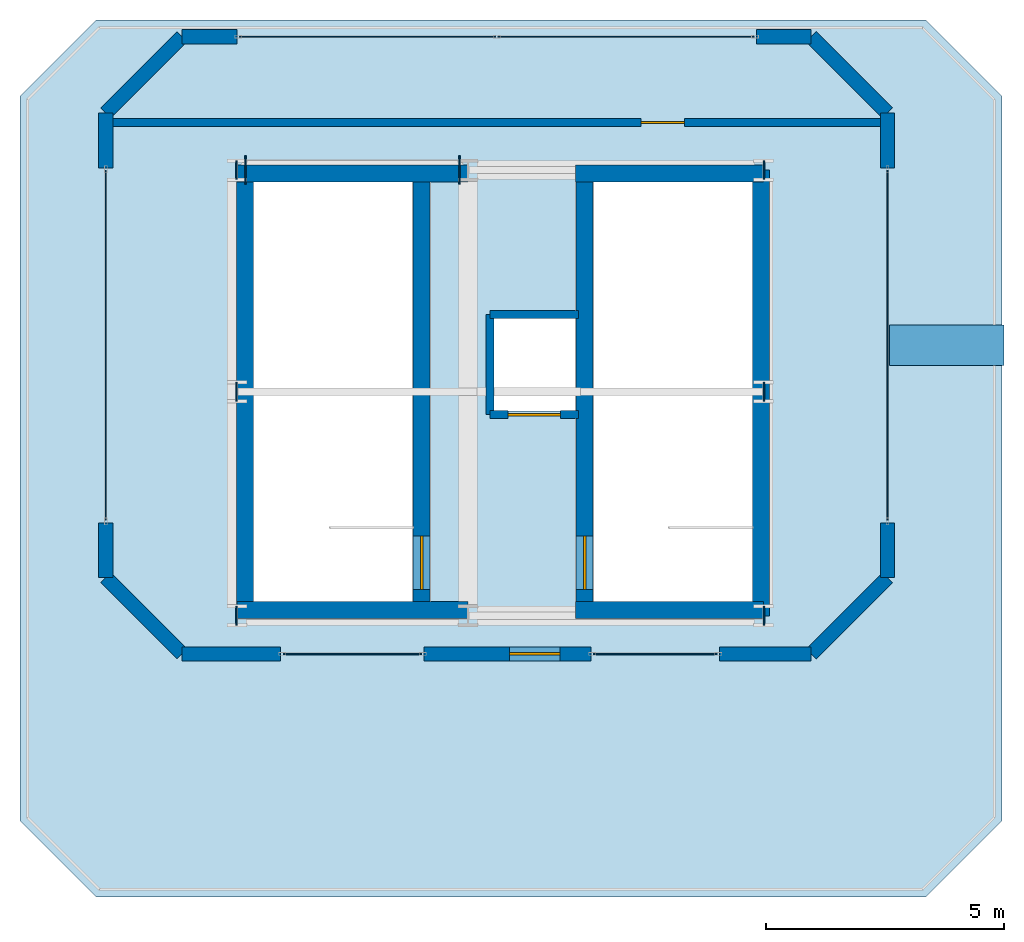
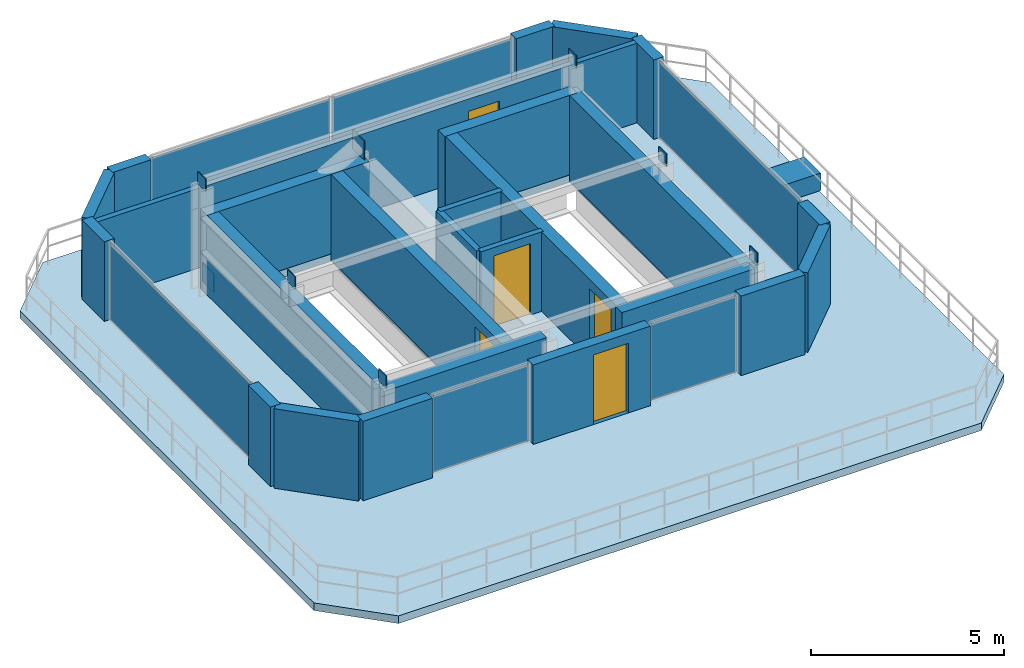
# One storey, part 8 of 9: 25 walls, 14 plates, 5 doors, 1 building element part, 1 slab, 5 openings, 5 elements without a shape of their own.
"""IFC4 building model written with IfcOpenShell, lengths in metres."""

from ifc_helpers import new_model, si_unit, direction, frame, frame_2d, origin, origin_2d, place, context, subcontext, project, spatial, polyline, rectangle, outline, extrude, material, layer, layer_set, type_object, element, fill, aggregate, save


model = new_model("IFC4")

# Units and contexts
model_context = context("Model", 3, precision=1e-05, world=origin(), true_north=direction((0.0, 1.0)))
body_context = subcontext(model_context, "Body", "Model", "MODEL_VIEW")
ifc_project = project(units=[si_unit("LENGTHUNIT", "METRE"), si_unit("AREAUNIT", "SQUARE_METRE"), si_unit("VOLUMEUNIT", "CUBIC_METRE"), si_unit("PLANEANGLEUNIT", "RADIAN"), si_unit("MASSUNIT", "GRAM", prefix="KILO")], contexts=[model_context])

# Site, building, storey
site_placement = place(None, origin())
site = spatial("IfcSite", under=ifc_project, at=site_placement, CompositionType="ELEMENT")
building_placement = place(site_placement, origin())
building = spatial("IfcBuilding", under=site, at=building_placement, Name="Zuhayl Quay Hotel", CompositionType="ELEMENT")
storey_placement = place(building_placement, frame((0.0, 0.0, 316.25)))
storey = spatial("IfcBuildingStorey", under=building, at=storey_placement, Name="Crown 6", CompositionType="ELEMENT", Elevation=316.25)

# Curtain wall, plate
ifc_material_1 = material(Name="Anodised Aluminium 6063-T6", Category="aluminium")
ifc_layer_1 = layer(ifc_material_1, 0.159912109375, Name="Anodised Aluminium 6063-T6", Category="aluminium")
ifc_layer_set_1 = layer_set([ifc_layer_1], Name="Anodised Aluminium 6063-T6")
curtain_wall_type = type_object("IfcCurtainWallType", Name="CW_SYS_CRN", PredefinedType="USERDEFINED", material=ifc_layer_set_1)
curtain_wall_1_placement = place(storey_placement, origin())
curtain_wall_1 = element("IfcCurtainWall", 1, at=curtain_wall_1_placement, inside=storey, type_object=curtain_wall_type, Name="Crown 6 Curtain Wall ENV_CR6_E1_CW1", ObjectType="UNITISED CURTAIN WALL", PredefinedType="USERDEFINED")
ifc_material_2 = material(Name="Spandrel Fritted Solar Glass", Category="glass")
ifc_layer_2 = layer(ifc_material_2, 0.028076171875, Name="Spandrel Fritted Solar Glass", Category="glass")
ifc_layer_set_2 = layer_set([ifc_layer_2], Name="Spandrel Fritted Solar Glass")
plate_type_1 = type_object("IfcPlateType", Name="PN_CROWN_SCREEN", PredefinedType="CURTAIN_PANEL", material=ifc_layer_set_2)
plate_1_placement = place(storey_placement, frame((-12.199951171875, 30.77490234375, 0.054931640625), z_axis=(0.0, 0.0, 1.0), x_axis=(0.0, 1.0, 0.0)))
plate_1 = element("IfcPlate", 2, at=plate_1_placement, type_object=plate_type_1, Name="CW-CRN panel 1.1", PredefinedType="CURTAIN_PANEL", context=body_context, shape_type="SweptSolid", body=[
    extrude(rectangle(XDim=7.330078125, YDim=0.028076171875, at=origin_2d()), origin(), (0.0, 0.0, 1.0), 2.39990234375),
])
aggregate(curtain_wall_1, [plate_1])

# Curtain wall, plates
curtain_wall_2_placement = place(storey_placement, origin())
curtain_wall_2 = element("IfcCurtainWall", 3, at=curtain_wall_2_placement, inside=storey, type_object=curtain_wall_type, Name="Crown 6 Curtain Wall ENV_CR6_E3_CW1", ObjectType="UNITISED CURTAIN WALL", PredefinedType="USERDEFINED")
plate_2_placement = place(storey_placement, frame((-6.7099609375, 37.25, 0.054931640625), z_axis=(0.0, 0.0, 1.0), x_axis=(1.0, 0.0, 0.0)))
plate_2 = element("IfcPlate", 4, at=plate_2_placement, type_object=plate_type_1, Name="CW-CRN panel 1.1", PredefinedType="CURTAIN_PANEL", context=body_context, shape_type="SweptSolid", body=[
    extrude(rectangle(XDim=5.360107421875, YDim=0.028076171875, at=origin_2d()), origin(), (0.0, 0.0, 1.0), 2.39990234375),
])
plate_3_placement = place(storey_placement, frame((-1.2900390625, 37.25, 0.054931640625), z_axis=(0.0, 0.0, 1.0), x_axis=(1.0, 0.0, 0.0)))
plate_3 = element("IfcPlate", 5, at=plate_3_placement, type_object=plate_type_1, Name="CW-CRN panel 2.1", PredefinedType="CURTAIN_PANEL", context=body_context, shape_type="SweptSolid", body=[
    extrude(rectangle(XDim=5.360107421875, YDim=0.028076171875, at=origin_2d()), origin(), (0.0, 0.0, 1.0), 2.39990234375),
])
aggregate(curtain_wall_2, [plate_2, plate_3])

# Curtain wall, plate
curtain_wall_3_placement = place(storey_placement, origin())
curtain_wall_3 = element("IfcCurtainWall", 6, at=curtain_wall_3_placement, inside=storey, type_object=curtain_wall_type, Name="Crown 6 Curtain Wall ENV_CR6_E5_CW1", ObjectType="UNITISED CURTAIN WALL", PredefinedType="USERDEFINED")
plate_4_placement = place(storey_placement, frame((4.199951171875, 30.77490234375, 0.054931640625), z_axis=(0.0, 0.0, 1.0), x_axis=(0.0, -1.0, 0.0)))
plate_4 = element("IfcPlate", 7, at=plate_4_placement, type_object=plate_type_1, Name="CW-CRN panel 1.1", PredefinedType="CURTAIN_PANEL", context=body_context, shape_type="SweptSolid", body=[
    extrude(rectangle(XDim=7.330078125, YDim=0.028076171875, at=origin_2d()), origin(), (0.0, 0.0, 1.0), 2.39990234375),
])
aggregate(curtain_wall_3, [plate_4])

curtain_wall_4_placement = place(storey_placement, origin())
curtain_wall_4 = element("IfcCurtainWall", 8, at=curtain_wall_4_placement, inside=storey, type_object=curtain_wall_type, Name="Crown 6 Curtain Wall ENV_CR6_E7_CW1", ObjectType="UNITISED CURTAIN WALL", PredefinedType="USERDEFINED")
plate_5_placement = place(storey_placement, frame((-0.672607421875, 24.300048828125, 0.054931640625), z_axis=(0.0, 0.0, 1.0), x_axis=(-1.0, 0.0, 0.0)))
plate_5 = element("IfcPlate", 9, at=plate_5_placement, type_object=plate_type_1, Name="CW-CRN panel 1.1", PredefinedType="CURTAIN_PANEL", context=body_context, shape_type="SweptSolid", body=[
    extrude(rectangle(XDim=2.5849609375, YDim=0.028076171875, at=origin_2d()), origin(), (0.0, 0.0, 1.0), 2.39990234375),
])
aggregate(curtain_wall_4, [plate_5])

curtain_wall_5_placement = place(storey_placement, origin())
curtain_wall_5 = element("IfcCurtainWall", 10, at=curtain_wall_5_placement, inside=storey, type_object=curtain_wall_type, Name="Crown 6 Curtain Wall ENV_CR6_E7_CW2", ObjectType="UNITISED CURTAIN WALL", PredefinedType="USERDEFINED")
plate_6_placement = place(storey_placement, frame((-7.02490234375, 24.300048828125, 0.054931640625), z_axis=(0.0, 0.0, 1.0), x_axis=(-1.0, 0.0, 0.0)))
plate_6 = element("IfcPlate", 11, at=plate_6_placement, type_object=plate_type_1, Name="CW-CRN panel 1.1", PredefinedType="CURTAIN_PANEL", context=body_context, shape_type="SweptSolid", body=[
    extrude(rectangle(XDim=2.889892578125, YDim=0.028076171875, at=origin_2d()), origin(), (0.0, 0.0, 1.0), 2.39990234375),
])
aggregate(curtain_wall_5, [plate_6])

# Slab
ifc_material_3 = material(Name="Concrete C45/55", Category="concrete")
ifc_layer_3 = layer(ifc_material_3, 0.239990234375, Name="Concrete C45/55", Category="concrete")
ifc_layer_set_3 = layer_set([ifc_layer_3], Name="Concrete C45/55")
slab_type = type_object("IfcSlabType", Name="SL_CROWN_ROOF_240", PredefinedType="ROOF", material=ifc_layer_set_3)
slab_placement = place(storey_placement, frame((0.0, 0.0, -0.239990234375)))
element("IfcSlab", 12, at=slab_placement, inside=storey, type_object=slab_type, Name="Crown 6 Stepped Crown Terrace and Roof Slab", PredefinedType="ROOF", context=body_context, shape_type="SweptSolid", body=[
    extrude(outline(polyline([(-12.39990234375, 19.199951171875), (5.0, 19.199951171875), (6.60009765625, 20.800048828125), (6.60009765625, 36.0), (5.0, 37.60009765625), (-12.39990234375, 37.60009765625), (-14.0, 36.0), (-14.0, 20.800048828125), (-12.39990234375, 19.199951171875)]), holes=[polyline([(-5.75, 25.39990234375), (-5.75, 34.199951171875), (-9.10009765625, 34.199951171875), (-9.10009765625, 25.39990234375), (-5.75, 25.39990234375)]), polyline([(1.3701171875, 25.39990234375), (1.3701171875, 34.199951171875), (-1.97998046875, 34.199951171875), (-1.97998046875, 25.39990234375), (1.3701171875, 25.39990234375)]), polyline([(-4.080078125, 29.39990234375), (-2.340087890625, 29.39990234375), (-2.340087890625, 31.35009765625), (-4.080078125, 31.35009765625), (-4.080078125, 29.39990234375)])]), origin(), (0.0, 0.0, 1.0), 0.239990234375),
])

# Plates
ifc_material_4 = material(Name="Steel ASTM A572 Grade 50", Category="steel")
ifc_layer_4 = layer(ifc_material_4, 0.030029296875, Name="Steel ASTM A572 Grade 50", Category="steel")
ifc_layer_set_4 = layer_set([ifc_layer_4], Name="Steel ASTM A572 Grade 50")
plate_type_2 = type_object("IfcPlateType", Name="TP_CAP_PLATE_30", PredefinedType="USERDEFINED", material=ifc_layer_set_4)
for number, where, z_axis, x_axis, name in (
    (13, (-9.2705078125, 34.449951171875, 0.04541015625), (0.0, 0.0, 1.0), (-1.0, 0.0, 0.0), "Truss Node Cap Assembly KN2"),
    (14, (-4.779541015625, 34.449951171875, 2.65771484375), (0.0, 0.0, 1.0), (1.0, 0.0, 0.0), "Truss Node Cap Assembly KN2"),
):
    element("IfcPlate", number, at=place(storey_placement, frame(where, z_axis=z_axis, x_axis=x_axis)), inside=storey, type_object=plate_type_2, Name=name, ObjectType="GUSSET PLATE", PredefinedType="USERDEFINED", context=body_context, shape_type="SweptSolid", body=[
        extrude(rectangle(XDim=0.030029296875, YDim=0.596923828125, at=origin_2d()), origin(), (0.0, 0.0, 1.0), 0.596923828125),
    ])
for number, where, z_axis, x_axis, name in (
    (15, (-9.4619140625, 25.10009765625, 2.69482421875), (0.0, 0.0, 1.0), (-1.0, 0.0, 0.0), "Truss Node Cap Assembly KN2"),
    (16, (1.612060546875, 25.10009765625, 2.69482421875), (0.0, 0.0, 1.0), (1.0, 0.0, 0.0), "Truss Node Cap Assembly KN2"),
    (17, (-9.4619140625, 29.800048828125, 2.9716796875), (0.0, 0.0, 1.0), (-1.0, 0.0, 0.0), "Truss Node Cap Assembly KN2"),
    (18, (1.612060546875, 29.800048828125, 2.9716796875), (0.0, 0.0, 1.0), (1.0, 0.0, 0.0), "Truss Node Cap Assembly KN2"),
    (19, (-9.4619140625, 34.449951171875, 3.2451171875), (0.0, 0.0, 1.0), (-1.0, 0.0, 0.0), "Truss Node Cap Assembly KN2"),
    (20, (1.612060546875, 34.449951171875, 3.2451171875), (0.0, 0.0, 1.0), (1.0, 0.0, 0.0), "Truss Node Cap Assembly KN2"),
):
    element("IfcPlate", number, at=place(storey_placement, frame(where, z_axis=z_axis, x_axis=x_axis)), inside=storey, type_object=plate_type_2, Name=name, ObjectType="GUSSET PLATE", PredefinedType="USERDEFINED", context=body_context, shape_type="SweptSolid", body=[
        extrude(rectangle(XDim=0.030029296875, YDim=0.389892578125, at=origin_2d()), origin(), (0.0, 0.0, 1.0), 0.389892578125),
    ])

# Walls
ifc_material_5 = material(Name="Precast concrete C45/55", Category="concrete")
ifc_layer_5 = layer(ifc_material_5, 0.300048828125, Name="Precast concrete C45/55", Category="concrete")
ifc_layer_set_5 = layer_set([ifc_layer_5], Name="Precast concrete C45/55")
wall_type_1 = type_object("IfcWallType", Name="WL_EXT_300", PredefinedType="STANDARD", material=ifc_layer_set_5)
wall_1_placement = place(storey_placement, frame((-12.199951171875, 25.89990234375, 0.0), z_axis=(0.0, 0.0, 1.0), x_axis=(0.0, 1.0, 0.0)))
element("IfcWall", 21, at=wall_1_placement, inside=storey, type_object=wall_type_1, Name="Crown 6 Exterior Precast Wall ENV_CR6_E1_EW1", PredefinedType="STANDARD", context=body_context, shape_type="SweptSolid", body=[
    extrude(rectangle(XDim=1.150146484375, YDim=0.300048828125, at=frame_2d((0.5751953125, 0.0))), origin(), (0.0, 0.0, 1.0), 2.510009765625),
])
wall_2_placement = place(storey_placement, frame((-12.199951171875, 34.5, 0.0), z_axis=(0.0, 0.0, 1.0), x_axis=(0.0, 1.0, 0.0)))
element("IfcWall", 22, at=wall_2_placement, inside=storey, type_object=wall_type_1, Name="Crown 6 Exterior Precast Wall ENV_CR6_E1_EW2", PredefinedType="STANDARD", context=body_context, shape_type="SweptSolid", body=[
    extrude(rectangle(XDim=1.14990234375, YDim=0.300048828125, at=frame_2d((0.574951171875, 0.0))), origin(), (0.0, 0.0, 1.0), 2.510009765625),
])
wall_3_placement = place(storey_placement, frame((-12.199951171875, 35.64990234375, 0.0), z_axis=(0.0, 0.0, 1.0), x_axis=(0.707052830339, 0.707160727918, 0.0)))
element("IfcWall", 23, at=wall_3_placement, inside=storey, type_object=wall_type_1, Name="Crown 6 Exterior Precast Wall ENV_CR6_EW2", PredefinedType="STANDARD", context=body_context, shape_type="SweptSolid", body=[
    extrude(rectangle(XDim=2.2626953125, YDim=0.300048828125, at=frame_2d((1.13134765625, 0.0))), origin(), (0.0, 0.0, 1.0), 2.510009765625),
])
for number, where, z_axis, x_axis, name in (
    (24, (-10.60009765625, 37.25, 0.0), (0.0, 0.0, 1.0), (1.0, 0.0, 0.0), "Crown 6 Exterior Precast Wall ENV_CR6_E3_EW1"),
    (25, (1.449951171875, 37.25, 0.0), (0.0, 0.0, 1.0), (1.0, 0.0, 0.0), "Crown 6 Exterior Precast Wall ENV_CR6_E3_EW2"),
):
    element("IfcWall", number, at=place(storey_placement, frame(where, z_axis=z_axis, x_axis=x_axis)), inside=storey, type_object=wall_type_1, Name=name, PredefinedType="STANDARD", context=body_context, shape_type="SweptSolid", body=[
        extrude(rectangle(XDim=1.150146484375, YDim=0.300048828125, at=frame_2d((0.5751953125, 0.0))), origin(), (0.0, 0.0, 1.0), 2.510009765625),
    ])
wall_4_placement = place(storey_placement, frame((2.60009765625, 37.25, 0.0), z_axis=(0.0, 0.0, 1.0), x_axis=(0.707052830339, -0.707160727918, 0.0)))
element("IfcWall", 26, at=wall_4_placement, inside=storey, type_object=wall_type_1, Name="Crown 6 Exterior Precast Wall ENV_CR6_EW4", PredefinedType="STANDARD", context=body_context, shape_type="SweptSolid", body=[
    extrude(rectangle(XDim=2.2626953125, YDim=0.300048828125, at=frame_2d((1.13134765625, 0.0))), origin(), (0.0, 0.0, 1.0), 2.510009765625),
])
wall_5_placement = place(storey_placement, frame((4.199951171875, 35.64990234375, 0.0), z_axis=(0.0, 0.0, 1.0), x_axis=(0.0, -1.0, 0.0)))
element("IfcWall", 27, at=wall_5_placement, inside=storey, type_object=wall_type_1, Name="Crown 6 Exterior Precast Wall ENV_CR6_E5_EW1", PredefinedType="STANDARD", context=body_context, shape_type="SweptSolid", body=[
    extrude(rectangle(XDim=1.14990234375, YDim=0.300048828125, at=frame_2d((0.574951171875, 0.0))), origin(), (0.0, 0.0, 1.0), 2.510009765625),
])
wall_6_placement = place(storey_placement, frame((4.199951171875, 27.050048828125, 0.0), z_axis=(0.0, 0.0, 1.0), x_axis=(0.0, -1.0, 0.0)))
element("IfcWall", 28, at=wall_6_placement, inside=storey, type_object=wall_type_1, Name="Crown 6 Exterior Precast Wall ENV_CR6_E5_EW2", PredefinedType="STANDARD", context=body_context, shape_type="SweptSolid", body=[
    extrude(rectangle(XDim=1.150146484375, YDim=0.300048828125, at=frame_2d((0.5751953125, 0.0))), origin(), (0.0, 0.0, 1.0), 2.510009765625),
])
wall_7_placement = place(storey_placement, frame((4.199951171875, 25.89990234375, 0.0), z_axis=(0.0, 0.0, 1.0), x_axis=(-0.707106781187, -0.707106781187, 0.0)))
element("IfcWall", 29, at=wall_7_placement, inside=storey, type_object=wall_type_1, Name="Crown 6 Exterior Precast Wall ENV_CR6_EW6", PredefinedType="STANDARD", context=body_context, shape_type="SweptSolid", body=[
    extrude(rectangle(XDim=2.262451171875, YDim=0.300048828125, at=frame_2d((1.13134765625, 0.0))), origin(), (0.0, 0.0, 1.0), 2.510009765625),
])
wall_8_placement = place(storey_placement, frame((2.60009765625, 24.300048828125, 0.0), z_axis=(0.0, 0.0, 1.0), x_axis=(-1.0, 0.0, 0.0)))
element("IfcWall", 30, at=wall_8_placement, inside=storey, type_object=wall_type_1, Name="Crown 6 Exterior Precast Wall ENV_CR6_E7_EW1", PredefinedType="STANDARD", context=body_context, shape_type="SweptSolid", body=[
    extrude(rectangle(XDim=1.920166015625, YDim=0.300048828125, at=frame_2d((0.9599609375, 0.0))), origin(), (0.0, 0.0, 1.0), 2.510009765625),
])

# Wall, opening, door
wall_9_placement = place(storey_placement, frame((-2.02490234375, 24.300048828125, 0.0), z_axis=(0.0, 0.0, 1.0), x_axis=(-1.0, 0.0, 0.0)))
wall_9 = element("IfcWall", 31, at=wall_9_placement, inside=storey, type_object=wall_type_1, Name="Crown 6 Exterior Precast Wall ENV_CR6_E7_EW2", PredefinedType="STANDARD", context=body_context, shape_type="SweptSolid", body=[
    extrude(rectangle(XDim=3.4951171875, YDim=0.300048828125, at=frame_2d((1.74755859375, 0.0))), origin(), (0.0, 0.0, 1.0), 2.510009765625),
])
opening_1_placement = place(wall_9_placement, frame((0.64990234375, 0.0, 0.0)))
opening_1 = element("IfcOpeningElement", 32, at=opening_1_placement, cuts=wall_9, Name="Opening DG1", PredefinedType="OPENING", context=body_context, shape_type="SweptSolid", body=[
    extrude(rectangle(XDim=1.050048828125, YDim=2.199951171875, at=frame_2d((0.52490234375, 1.10009765625))), frame((0.0, 0.159912109375, 0.0), z_axis=(0.0, -1.0, 0.0), x_axis=(1.0, 0.0, 0.0)), (0.0, 0.0, 1.0), 0.320068359375),
])
ifc_material_6 = material(Name="Anodised Aluminium and Dark Solar Glass", Category="aluminium")
door_type_1 = type_object("IfcDoorType", Name="DR_EXT_TERR_1050", OperationType="NOTDEFINED", PredefinedType="DOOR", material=ifc_material_6)
door_1_placement = place(opening_1_placement, origin())
door_1 = element("IfcDoor", 33, at=door_1_placement, inside=storey, type_object=door_type_1, Name="Crown 6 Stepped Crown Terrace Access Door", OperationType="SINGLE_SWING_RIGHT", OverallHeight=2.199951171875, OverallWidth=1.050048828125, PredefinedType="DOOR", context=body_context, shape_type="SweptSolid", body=[
    extrude(rectangle(XDim=1.050048828125, YDim=2.199951171875, at=frame_2d((0.52490234375, 1.10009765625))), frame((0.0, 0.02490234375, 0.0), z_axis=(0.0, -1.0, 0.0), x_axis=(1.0, 0.0, 0.0)), (0.0, 0.0, 1.0), 0.050048828125),
])
fill(opening_1, door_1)

# Walls
wall_10_placement = place(storey_placement, frame((-8.530029296875, 24.300048828125, 0.0), z_axis=(0.0, 0.0, 1.0), x_axis=(-1.0, 0.0, 0.0)))
element("IfcWall", 34, at=wall_10_placement, inside=storey, type_object=wall_type_1, Name="Crown 6 Exterior Precast Wall ENV_CR6_E7_EW3", PredefinedType="STANDARD", context=body_context, shape_type="SweptSolid", body=[
    extrude(rectangle(XDim=2.070068359375, YDim=0.300048828125, at=frame_2d((1.03515625, 0.0))), origin(), (0.0, 0.0, 1.0), 2.510009765625),
])
wall_11_placement = place(storey_placement, frame((-10.60009765625, 24.300048828125, 0.0), z_axis=(0.0, 0.0, 1.0), x_axis=(-0.707106781187, 0.707106781187, 0.0)))
element("IfcWall", 35, at=wall_11_placement, inside=storey, type_object=wall_type_1, Name="Crown 6 Exterior Precast Wall ENV_CR6_EW8", PredefinedType="STANDARD", context=body_context, shape_type="SweptSolid", body=[
    extrude(rectangle(XDim=2.262451171875, YDim=0.300048828125, at=frame_2d((1.13134765625, 0.0))), origin(), (0.0, 0.0, 1.0), 2.510009765625),
])

# Wall, opening, door
ifc_material_7 = material(Name="Acoustic Gypsum Partition STC-58")
ifc_layer_6 = layer(ifc_material_7, 0.159912109375, Name="Acoustic Gypsum Partition STC-58")
ifc_layer_set_6 = layer_set([ifc_layer_6], Name="Acoustic Gypsum Partition STC-58")
wall_type_2 = type_object("IfcWallType", Name="WL_PART_CORR_160", PredefinedType="PARTITIONING", material=ifc_layer_set_6)
wall_12_placement = place(storey_placement, frame((-12.139892578125, 35.449951171875, 0.0), z_axis=(0.0, 0.0, 1.0), x_axis=(1.0, 0.0, 0.0)))
wall_12 = element("IfcWall", 36, at=wall_12_placement, inside=storey, type_object=wall_type_2, Name="Crown 6 Partition IW_CR6_DIV", PredefinedType="PARTITIONING", context=body_context, shape_type="SweptSolid", body=[
    extrude(rectangle(XDim=16.27978515625, YDim=0.159912109375, at=frame_2d((8.139892578125, 0.0))), origin(), (0.0, 0.0, 1.0), 2.510009765625),
])
opening_2_placement = place(wall_12_placement, frame((11.1650390625, 0.0, 0.0)))
opening_2 = element("IfcOpeningElement", 37, at=opening_2_placement, cuts=wall_12, Name="Opening D05", PredefinedType="OPENING", context=body_context, shape_type="SweptSolid", body=[
    extrude(rectangle(XDim=0.919921875, YDim=2.1201171875, at=frame_2d((0.4599609375, 1.06005859375))), frame((0.0, 0.08984375, 0.0), z_axis=(0.0, -1.0, 0.0), x_axis=(1.0, 0.0, 0.0)), (0.0, 0.0, 1.0), 0.179931640625),
])
ifc_material_8 = material(Name="Solid Walnut Acoustic Fire Door")
door_type_2 = type_object("IfcDoorType", Name="DR_INT_950", OperationType="NOTDEFINED", PredefinedType="DOOR", material=ifc_material_8)
door_2_placement = place(opening_2_placement, origin())
door_2 = element("IfcDoor", 38, at=door_2_placement, inside=storey, type_object=door_type_2, Name="Crown 6 Equipment Room Door", OperationType="SINGLE_SWING_RIGHT", OverallHeight=2.1201171875, OverallWidth=0.919921875, PredefinedType="DOOR", context=body_context, shape_type="SweptSolid", body=[
    extrude(rectangle(XDim=0.919921875, YDim=2.1201171875, at=frame_2d((0.4599609375, 1.06005859375))), frame((0.0, 0.02490234375, 0.0), z_axis=(0.0, -1.0, 0.0), x_axis=(1.0, 0.0, 0.0)), (0.0, 0.0, 1.0), 0.050048828125),
])
fill(opening_2, door_2)

ifc_material_9 = material(Name="Gypsum Fireboard Assembly EI-90")
ifc_layer_7 = layer(ifc_material_9, 0.1650390625, Name="Gypsum Fireboard Assembly EI-90")
ifc_layer_set_7 = layer_set([ifc_layer_7], Name="Gypsum Fireboard Assembly EI-90")
wall_type_3 = type_object("IfcWallType", Name="WL_PART_SHAFT_160", PredefinedType="PARTITIONING", material=ifc_layer_set_7)
wall_13_placement = place(storey_placement, frame((-4.139892578125, 29.320068359375, 0.0), z_axis=(0.0, 0.0, 1.0), x_axis=(1.0, 0.0, 0.0)))
wall_13 = element("IfcWall", 39, at=wall_13_placement, inside=storey, type_object=wall_type_3, Name="Crown 6 Partition IW_CR6_SH_CLF1_F", PredefinedType="PARTITIONING", context=body_context, shape_type="SweptSolid", body=[
    extrude(rectangle(XDim=1.85986328125, YDim=0.1650390625, at=frame_2d((0.929931640625, 0.0))), origin(), (0.0, 0.0, 1.0), 2.510009765625),
])
opening_3_placement = place(wall_13_placement, frame((0.3798828125, 0.0, 0.0)))
opening_3 = element("IfcOpeningElement", 40, at=opening_3_placement, cuts=wall_13, Name="Opening LD1", PredefinedType="OPENING", context=body_context, shape_type="SweptSolid", body=[
    extrude(rectangle(XDim=1.10009765625, YDim=2.25, at=frame_2d((0.550048828125, 1.125))), frame((0.0, 0.092529296875, 0.0), z_axis=(0.0, -1.0, 0.0), x_axis=(1.0, 0.0, 0.0)), (0.0, 0.0, 1.0), 0.18505859375),
])
ifc_material_10 = material(Name="Brushed Stainless Steel", Category="steel")
door_type_3 = type_object("IfcDoorType", Name="DR_LIFT_PASS_1100", OperationType="SLIDING_TO_LEFT", PredefinedType="DOOR", material=ifc_material_10)
door_3_placement = place(opening_3_placement, origin())
door_3 = element("IfcDoor", 41, at=door_3_placement, inside=storey, type_object=door_type_3, Name="Crown 6 Lift CLF1 Sliding Landing Door", OperationType="SLIDING_TO_LEFT", OverallHeight=2.25, OverallWidth=1.10009765625, PredefinedType="DOOR", context=body_context, shape_type="SweptSolid", body=[
    extrude(rectangle(XDim=1.10009765625, YDim=2.25, at=frame_2d((0.550048828125, 1.125))), frame((0.0, 0.02490234375, 0.0), z_axis=(0.0, -1.0, 0.0), x_axis=(1.0, 0.0, 0.0)), (0.0, 0.0, 1.0), 0.050048828125),
])
fill(opening_3, door_3)

# Walls
wall_14_placement = place(storey_placement, frame((-4.139892578125, 29.320068359375, 0.0), z_axis=(0.0, 0.0, 1.0), x_axis=(0.0, 1.0, 0.0)))
element("IfcWall", 42, at=wall_14_placement, inside=storey, type_object=wall_type_3, Name="Crown 6 Partition IW_CR6_SH_CLF1_W", PredefinedType="PARTITIONING", context=body_context, shape_type="SweptSolid", body=[
    extrude(rectangle(XDim=2.099853515625, YDim=0.1650390625, at=frame_2d((1.0498046875, 0.0))), origin(), (0.0, 0.0, 1.0), 2.510009765625),
])
wall_15_placement = place(storey_placement, frame((-4.139892578125, 31.419921875, 0.0), z_axis=(0.0, 0.0, 1.0), x_axis=(1.0, 0.0, 0.0)))
element("IfcWall", 43, at=wall_15_placement, inside=storey, type_object=wall_type_3, Name="Crown 6 Partition IW_CR6_SH_CLF1_N", PredefinedType="PARTITIONING", context=body_context, shape_type="SweptSolid", body=[
    extrude(rectangle(XDim=1.85986328125, YDim=0.1650390625, at=frame_2d((0.929931640625, 0.0))), origin(), (0.0, 0.0, 1.0), 2.510009765625),
])

# Wall, opening, door
ifc_material_11 = material(Name="Concrete C50/60", Category="concrete")
ifc_layer_8 = layer(ifc_material_11, 0.35009765625, Name="Concrete C50/60", Category="concrete")
ifc_layer_set_8 = layer_set([ifc_layer_8], Name="Concrete C50/60")
wall_type_4 = type_object("IfcWallType", Name="WL_STAIR_350", PredefinedType="SHEAR", material=ifc_layer_set_8)
wall_16_placement = place(storey_placement, frame((-5.574951171875, 25.10009765625, -0.18994140625), z_axis=(0.0, 0.0, 1.0), x_axis=(0.0, 1.0, 0.0)))
wall_16 = element("IfcWall", 44, at=wall_16_placement, inside=storey, type_object=wall_type_4, Name="Crown 6 Crown Stair Shear Wall SW_ST5_E", PredefinedType="SHEAR", context=body_context, shape_type="SweptSolid", body=[
    extrude(rectangle(XDim=9.349853515625, YDim=0.35009765625, at=frame_2d((4.6748046875, 0.0))), origin(), (0.0, 0.0, 1.0), 2.699951171875),
])
opening_4_placement = place(wall_16_placement, frame((0.550048828125, 0.0, 0.18994140625)))
opening_4 = element("IfcOpeningElement", 45, at=opening_4_placement, cuts=wall_16, Name="Opening D01", PredefinedType="OPENING", context=body_context, shape_type="SweptSolid", body=[
    extrude(rectangle(XDim=1.1201171875, YDim=2.219970703125, at=frame_2d((0.56005859375, 1.10986328125))), frame((0.0, 0.18505859375, 0.0), z_axis=(0.0, -1.0, 0.0), x_axis=(1.0, 0.0, 0.0)), (0.0, 0.0, 1.0), 0.3701171875),
])
ifc_material_12 = material(Name="Steel ASTM A992 Grade 50", Category="steel")
door_type_4 = type_object("IfcDoorType", Name="DR_STAIR_90_1100", OperationType="NOTDEFINED", PredefinedType="DOOR", material=ifc_material_12)
door_4_placement = place(opening_4_placement, origin())
door_4 = element("IfcDoor", 46, at=door_4_placement, inside=storey, type_object=door_type_4, Name="Crown 6 Crown Exit Stair ST5 Door", OperationType="SINGLE_SWING_RIGHT", OverallHeight=2.219970703125, OverallWidth=1.1201171875, PredefinedType="DOOR", context=body_context, shape_type="SweptSolid", body=[
    extrude(rectangle(XDim=1.1201171875, YDim=2.219970703125, at=frame_2d((0.56005859375, 1.10986328125))), frame((0.0, 0.02490234375, 0.0), z_axis=(0.0, -1.0, 0.0), x_axis=(1.0, 0.0, 0.0)), (0.0, 0.0, 1.0), 0.050048828125),
])
fill(opening_4, door_4)

# Walls
wall_17_placement = place(storey_placement, frame((-9.280029296875, 34.449951171875, -0.18994140625), z_axis=(0.0, 0.0, 1.0), x_axis=(0.0, -1.0, 0.0)))
element("IfcWall", 47, at=wall_17_placement, inside=storey, type_object=wall_type_4, Name="Crown 6 Crown Stair Shear Wall SW_ST5_W", PredefinedType="SHEAR", context=body_context, shape_type="SweptSolid", body=[
    extrude(rectangle(XDim=9.349853515625, YDim=0.35009765625, at=frame_2d((4.6748046875, 0.0))), origin(), (0.0, 0.0, 1.0), 2.699951171875),
])
for number, where, z_axis, x_axis, name in (
    (48, (-9.449951171875, 25.219970703125, -0.18994140625), (0.0, 0.0, 1.0), (1.0, 0.0, 0.0), "Crown 6 Crown Stair Shear Wall SW_ST5_S"),
    (49, (-9.449951171875, 34.3798828125, -0.18994140625), (0.0, 0.0, 1.0), (1.0, 0.0, 0.0), "Crown 6 Crown Stair Shear Wall SW_ST5_N"),
):
    element("IfcWall", number, at=place(storey_placement, frame(where, z_axis=z_axis, x_axis=x_axis)), inside=storey, type_object=wall_type_4, Name=name, PredefinedType="SHEAR", context=body_context, shape_type="SweptSolid", body=[
        extrude(rectangle(XDim=4.849853515625, YDim=0.35009765625, at=frame_2d((2.4248046875, 0.0))), origin(), (0.0, 0.0, 1.0), 2.699951171875),
    ])

# Wall, opening, door
wall_18_placement = place(storey_placement, frame((-2.155029296875, 34.449951171875, -0.18994140625), z_axis=(0.0, 0.0, 1.0), x_axis=(0.0, -1.0, 0.0)))
wall_18 = element("IfcWall", 50, at=wall_18_placement, inside=storey, type_object=wall_type_4, Name="Crown 6 Crown Stair Shear Wall SW_ST6_W", PredefinedType="SHEAR", context=body_context, shape_type="SweptSolid", body=[
    extrude(rectangle(XDim=9.349853515625, YDim=0.35009765625, at=frame_2d((4.6748046875, 0.0))), origin(), (0.0, 0.0, 1.0), 2.699951171875),
])
opening_5_placement = place(wall_18_placement, frame((7.679931640625, 0.0, 0.18994140625)))
opening_5 = element("IfcOpeningElement", 51, at=opening_5_placement, cuts=wall_18, Name="Opening D01", PredefinedType="OPENING", context=body_context, shape_type="SweptSolid", body=[
    extrude(rectangle(XDim=1.1201171875, YDim=2.219970703125, at=frame_2d((0.56005859375, 1.10986328125))), frame((0.0, 0.18505859375, 0.0), z_axis=(0.0, -1.0, 0.0), x_axis=(1.0, 0.0, 0.0)), (0.0, 0.0, 1.0), 0.3701171875),
])
door_5_placement = place(opening_5_placement, origin())
door_5 = element("IfcDoor", 52, at=door_5_placement, inside=storey, type_object=door_type_4, Name="Crown 6 Crown Exit Stair ST6 Door", OperationType="SINGLE_SWING_LEFT", OverallHeight=2.219970703125, OverallWidth=1.1201171875, PredefinedType="DOOR", context=body_context, shape_type="SweptSolid", body=[
    extrude(rectangle(XDim=1.1201171875, YDim=2.219970703125, at=frame_2d((0.56005859375, 1.10986328125))), frame((0.0, 0.02490234375, 0.0), z_axis=(0.0, -1.0, 0.0), x_axis=(1.0, 0.0, 0.0)), (0.0, 0.0, 1.0), 0.050048828125),
])
fill(opening_5, door_5)

# Walls
wall_19_placement = place(storey_placement, frame((1.544921875, 25.10009765625, -0.18994140625), z_axis=(0.0, 0.0, 1.0), x_axis=(0.0, 1.0, 0.0)))
element("IfcWall", 53, at=wall_19_placement, inside=storey, type_object=wall_type_4, Name="Crown 6 Crown Stair Shear Wall SW_ST6_E", PredefinedType="SHEAR", context=body_context, shape_type="SweptSolid", body=[
    extrude(rectangle(XDim=9.349853515625, YDim=0.35009765625, at=frame_2d((4.6748046875, 0.0))), origin(), (0.0, 0.0, 1.0), 2.699951171875),
])
for number, where, z_axis, x_axis, name in (
    (54, (-2.35009765625, 25.219970703125, -0.18994140625), (0.0, 0.0, 1.0), (1.0, 0.0, 0.0), "Crown 6 Crown Stair Shear Wall SW_ST6_S"),
    (55, (-2.35009765625, 34.3798828125, -0.18994140625), (0.0, 0.0, 1.0), (1.0, 0.0, 0.0), "Crown 6 Crown Stair Shear Wall SW_ST6_N"),
):
    element("IfcWall", number, at=place(storey_placement, frame(where, z_axis=z_axis, x_axis=x_axis)), inside=storey, type_object=wall_type_4, Name=name, PredefinedType="SHEAR", context=body_context, shape_type="SweptSolid", body=[
        extrude(rectangle(XDim=3.9501953125, YDim=0.35009765625, at=frame_2d((1.97509765625, 0.0))), origin(), (0.0, 0.0, 1.0), 2.699951171875),
    ])

# Building element part
ifc_layer_9 = layer(ifc_material_5, 0.550048828125, Name="Precast concrete C45/55", Category="concrete")
ifc_layer_set_9 = layer_set([ifc_layer_9], Name="Precast concrete C45/55")
building_element_part_type = type_object("IfcBuildingElementPartType", Name="PT_PLANTER_KERB", PredefinedType="PRECASTPANEL", material=ifc_layer_set_9)
building_element_part_placement = place(storey_placement, frame((5.445068359375, 30.77490234375, 0.0), z_axis=(0.0, 0.0, 1.0), x_axis=(1.0, 0.0, 0.0)))
element("IfcBuildingElementPart", 56, at=building_element_part_placement, inside=storey, type_object=building_element_part_type, Name="Crown 6 Stepped Crown Planter Box", PredefinedType="PRECASTPANEL", context=body_context, shape_type="SweptSolid", body=[
    extrude(rectangle(XDim=2.39990234375, YDim=0.85009765625, at=origin_2d()), origin(), (0.0, 0.0, 1.0), 0.550048828125),
])

save(model, "model.ifc")
